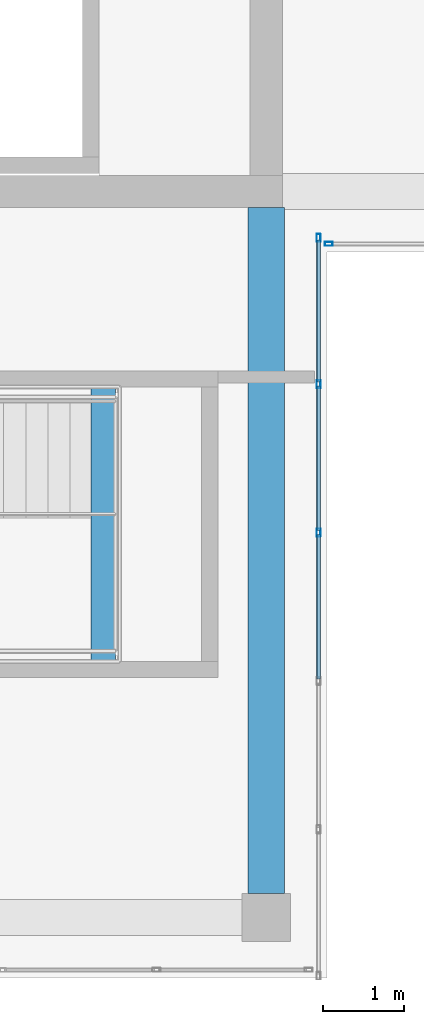
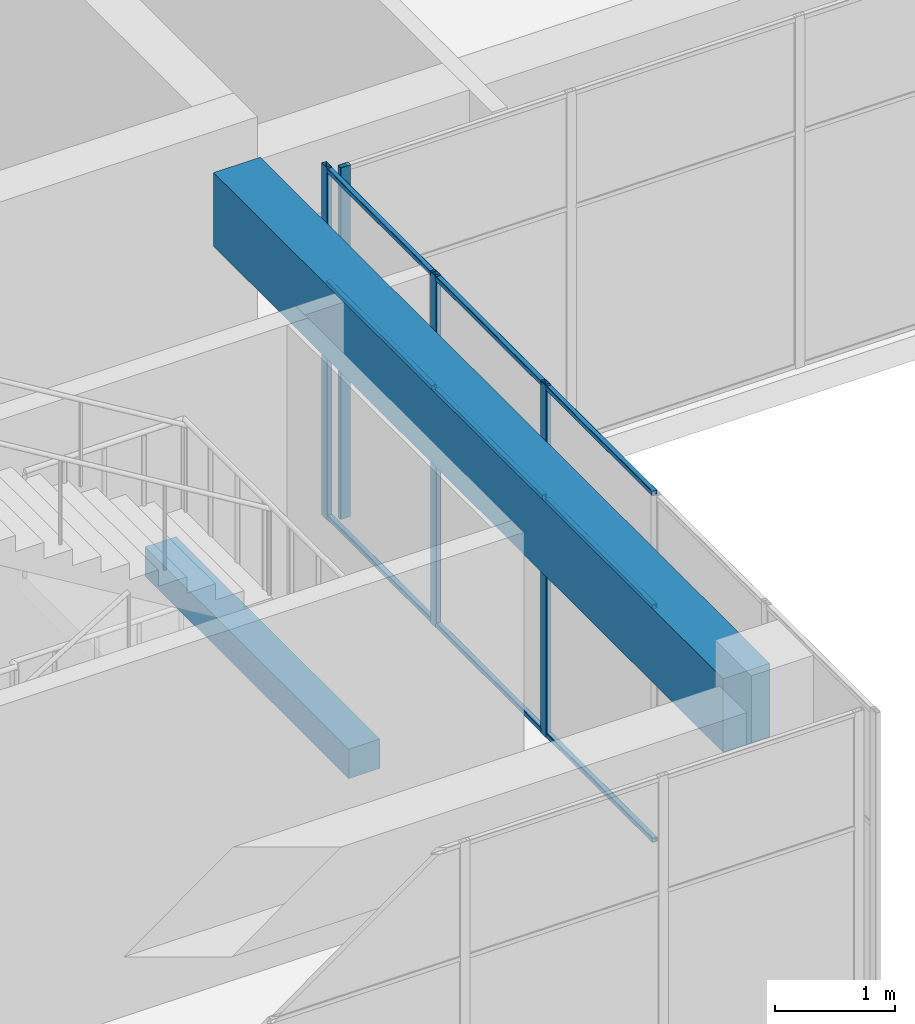
# One storey, part 9 of 35: 13 members, 2 beams, 2 elements without a shape of their own.
"""IFC4 building model written with IfcOpenShell, lengths in metres."""

from ifc_helpers import new_model, si_unit, direction, frame, origin, origin_2d, place, context, subcontext, project, spatial, rectangle, hollow_rectangle, extrude, material, layer, layer_set, material_profile, profile_set, type_object, element, aggregate, save


model = new_model("IFC4")

# Units and contexts
model_context = context("Model", 3, precision=1e-05, world=origin(), true_north=direction((0.0, 1.0)))
body_context = subcontext(model_context, "Body", "Model", "MODEL_VIEW")
ifc_project = project(units=[si_unit("LENGTHUNIT", "METRE"), si_unit("AREAUNIT", "SQUARE_METRE"), si_unit("VOLUMEUNIT", "CUBIC_METRE"), si_unit("PLANEANGLEUNIT", "RADIAN"), si_unit("MASSUNIT", "GRAM", prefix="KILO")], contexts=[model_context])

# Site, building, storey
site_placement = place(None, origin())
site = spatial("IfcSite", under=ifc_project, at=site_placement, CompositionType="ELEMENT")
building_placement = place(site_placement, origin())
building = spatial("IfcBuilding", under=site, at=building_placement, Name="Tuart Plaza Theatre", CompositionType="ELEMENT")
storey_placement = place(building_placement, frame((0.0, 0.0, 49.5)))
storey = spatial("IfcBuildingStorey", under=building, at=storey_placement, Name="L12", CompositionType="ELEMENT", Elevation=49.5)

# Beams
ifc_material_1 = material(Name="Concrete N40 (40 MPa)", Category="concrete")
ifc_material_profile_1 = material_profile(ifc_material_1, rectangle(XDim=0.300048828125, YDim=0.300048828125, at=origin_2d()), Name="BEAM 300x300 Concrete N40 (40 MPa)")
ifc_profile_set_1 = profile_set([ifc_material_profile_1], Name="Concrete N40 (40 MPa)")
beam_type_1 = type_object("IfcBeamType", Name="BEAM 300x300 Concrete N40 (40 MPa)", PredefinedType="BEAM", material=ifc_profile_set_1)
beam_1_placement = place(storey_placement, frame((138.97998046875, 59.175048828125, 1.64990234375), z_axis=(0.0, 1.0, 0.0), x_axis=(-1.0, 0.0, 0.0)))
element("IfcBeam", 1, at=beam_1_placement, inside=storey, type_object=beam_type_1, Name="RB508", PredefinedType="BEAM", context=body_context, shape_type="SweptSolid", body=[
    extrude(rectangle(XDim=0.300048828125, YDim=0.300048828125, at=origin_2d()), origin(), (0.0, 0.0, 1.0), 3.39990234375),
])
ifc_material_2 = material(Name="Concrete N40 (40 MPa)", Category="concrete")
ifc_material_profile_2 = material_profile(ifc_material_2, rectangle(XDim=0.449951171875, YDim=0.75, at=origin_2d()), Name="BEAM 450x750 Concrete N40 (40 MPa)")
ifc_profile_set_2 = profile_set([ifc_material_profile_2], Name="Concrete N40 (40 MPa)")
beam_type_2 = type_object("IfcBeamType", Name="BEAM 450x750 Concrete N40 (40 MPa)", PredefinedType="BEAM", material=ifc_profile_set_2)
beam_2_placement = place(storey_placement, frame((141.0, 56.300048828125, 3.205078125), z_axis=(0.0, 1.0, 0.0), x_axis=(-1.0, 0.0, 0.0)))
element("IfcBeam", 2, at=beam_2_placement, inside=storey, type_object=beam_type_2, Name="RB304", PredefinedType="BEAM", context=body_context, shape_type="SweptSolid", body=[
    extrude(rectangle(XDim=0.449951171875, YDim=0.75, at=origin_2d()), origin(), (0.0, 0.0, 1.0), 8.5),
])

# Curtain wall, members
ifc_material_3 = material(Name="Aluminium and glass", Category="aluminium")
ifc_layer = layer(ifc_material_3, 0.10009765625)
ifc_layer_set = layer_set([ifc_layer], Name="CURTAIN WALL 2000 module")
curtain_wall_type = type_object("IfcCurtainWallType", Name="CURTAIN WALL 2000 module", PredefinedType="NOTDEFINED", material=ifc_layer_set)
curtain_wall_1_placement = place(storey_placement, origin())
curtain_wall_1 = element("IfcCurtainWall", 3, at=curtain_wall_1_placement, inside=storey, type_object=curtain_wall_type, Name="CW100", PredefinedType="NOTDEFINED")
ifc_material_4 = material(Name="Aluminium 6063-T5", Category="aluminium")
ifc_material_profile_3 = material_profile(ifc_material_4, hollow_rectangle(XDim=0.050048828125, YDim=0.10009765625, WallThickness=0.00390625, InnerFilletRadius=0.00390625, OuterFilletRadius=0.008056640625, at=origin_2d()), Name="RHS 100x50x4")
ifc_profile_set_3 = profile_set([ifc_material_profile_3], Name="Aluminium 6063-T5")
member_type_1 = type_object("IfcMemberType", Name="MULLION RHS 100x50x4", PredefinedType="MULLION", material=ifc_profile_set_3)
member_1_placement = place(storey_placement, frame((141.64990234375, 60.77001953125, 0.0), z_axis=(0.0, 0.0, 1.0), x_axis=(-1.0, 0.0, 0.0)))
member_1 = element("IfcMember", 4, at=member_1_placement, type_object=member_type_1, Name="CW100 mullion 4", PredefinedType="MULLION", context=body_context, shape_type="SweptSolid", body=[
    extrude(hollow_rectangle(XDim=0.050048828125, YDim=0.10009765625, WallThickness=0.00390625, InnerFilletRadius=0.00390625, OuterFilletRadius=0.008056640625, at=origin_2d()), origin(), (0.0, 0.0, 1.0), 3.580078125),
])
member_2_placement = place(storey_placement, frame((141.64990234375, 62.610107421875, 0.0), z_axis=(0.0, 0.0, 1.0), x_axis=(-1.0, 0.0, 0.0)))
member_2 = element("IfcMember", 5, at=member_2_placement, type_object=member_type_1, Name="CW100 mullion 5", PredefinedType="MULLION", context=body_context, shape_type="SweptSolid", body=[
    extrude(hollow_rectangle(XDim=0.050048828125, YDim=0.10009765625, WallThickness=0.00390625, InnerFilletRadius=0.00390625, OuterFilletRadius=0.008056640625, at=origin_2d()), origin(), (0.0, 0.0, 1.0), 3.580078125),
])
member_3_placement = place(storey_placement, frame((141.64990234375, 64.425048828125, 0.0), z_axis=(0.0, 0.0, 1.0), x_axis=(-1.0, 0.0, 0.0)))
member_3 = element("IfcMember", 6, at=member_3_placement, type_object=member_type_1, Name="CW100 mullion 6", PredefinedType="MULLION", context=body_context, shape_type="SweptSolid", body=[
    extrude(hollow_rectangle(XDim=0.050048828125, YDim=0.10009765625, WallThickness=0.00390625, InnerFilletRadius=0.00390625, OuterFilletRadius=0.008056640625, at=origin_2d()), origin(), (0.0, 0.0, 1.0), 3.580078125),
])

# Curtain wall, member
curtain_wall_2_placement = place(storey_placement, origin())
curtain_wall_2 = element("IfcCurtainWall", 7, at=curtain_wall_2_placement, inside=storey, type_object=curtain_wall_type, Name="CW101", PredefinedType="NOTDEFINED")
member_4_placement = place(storey_placement, frame((141.77490234375, 64.35009765625, 0.0), z_axis=(0.0, 0.0, 1.0), x_axis=(0.0, 1.0, 0.0)))
member_4 = element("IfcMember", 8, at=member_4_placement, type_object=member_type_1, Name="CW101 mullion 1", PredefinedType="MULLION", context=body_context, shape_type="SweptSolid", body=[
    extrude(hollow_rectangle(XDim=0.050048828125, YDim=0.10009765625, WallThickness=0.00390625, InnerFilletRadius=0.00390625, OuterFilletRadius=0.008056640625, at=origin_2d()), origin(), (0.0, 0.0, 1.0), 3.580078125),
])
aggregate(curtain_wall_2, [member_4])

# Member
ifc_material_5 = material(Name="Aluminium 6063-T5", Category="aluminium")
ifc_material_profile_4 = material_profile(ifc_material_5, hollow_rectangle(XDim=0.050048828125, YDim=0.050048828125, WallThickness=0.00390625, InnerFilletRadius=0.00390625, OuterFilletRadius=0.008056640625, at=origin_2d()), Name="RHS 50x50x4")
ifc_profile_set_4 = profile_set([ifc_material_profile_4], Name="Aluminium 6063-T5")
member_type_2 = type_object("IfcMemberType", Name="TRANSOM RHS 50x50x4", PredefinedType="USERDEFINED", material=ifc_profile_set_4)
member_5_placement = place(storey_placement, frame((141.64990234375, 58.955078125, 0.02490234375), z_axis=(0.0, 1.0, 0.0), x_axis=(-1.0, 0.0, 0.0)))
member_5 = element("IfcMember", 9, at=member_5_placement, type_object=member_type_2, Name="CW100 transom 3.1", ObjectType="TRANSOM", PredefinedType="USERDEFINED", context=body_context, shape_type="SweptSolid", body=[
    extrude(hollow_rectangle(XDim=0.050048828125, YDim=0.050048828125, WallThickness=0.00390625, InnerFilletRadius=0.00390625, OuterFilletRadius=0.008056640625, at=origin_2d()), origin(), (0.0, 0.0, 1.0), 1.7900390625),
])

member_6_placement = place(storey_placement, frame((141.64990234375, 58.955078125, 2.39990234375), z_axis=(0.0, 1.0, 0.0), x_axis=(-1.0, 0.0, 0.0)))
member_6 = element("IfcMember", 10, at=member_6_placement, type_object=member_type_2, Name="CW100 transom 3.2", ObjectType="TRANSOM", PredefinedType="USERDEFINED", context=body_context, shape_type="SweptSolid", body=[
    extrude(hollow_rectangle(XDim=0.050048828125, YDim=0.050048828125, WallThickness=0.00390625, InnerFilletRadius=0.00390625, OuterFilletRadius=0.008056640625, at=origin_2d()), origin(), (0.0, 0.0, 1.0), 1.7900390625),
])

member_7_placement = place(storey_placement, frame((141.64990234375, 58.955078125, 3.554931640625), z_axis=(0.0, 1.0, 0.0), x_axis=(-1.0, 0.0, 0.0)))
member_7 = element("IfcMember", 11, at=member_7_placement, type_object=member_type_2, Name="CW100 transom 3.3", ObjectType="TRANSOM", PredefinedType="USERDEFINED", context=body_context, shape_type="SweptSolid", body=[
    extrude(hollow_rectangle(XDim=0.050048828125, YDim=0.050048828125, WallThickness=0.00390625, InnerFilletRadius=0.00390625, OuterFilletRadius=0.008056640625, at=origin_2d()), origin(), (0.0, 0.0, 1.0), 1.7900390625),
])

member_8_placement = place(storey_placement, frame((141.64990234375, 60.794921875, 0.02490234375), z_axis=(0.0, 1.0, 0.0), x_axis=(-1.0, 0.0, 0.0)))
member_8 = element("IfcMember", 12, at=member_8_placement, type_object=member_type_2, Name="CW100 transom 4.1", ObjectType="TRANSOM", PredefinedType="USERDEFINED", context=body_context, shape_type="SweptSolid", body=[
    extrude(hollow_rectangle(XDim=0.050048828125, YDim=0.050048828125, WallThickness=0.00390625, InnerFilletRadius=0.00390625, OuterFilletRadius=0.008056640625, at=origin_2d()), origin(), (0.0, 0.0, 1.0), 1.7900390625),
])

member_9_placement = place(storey_placement, frame((141.64990234375, 60.794921875, 2.39990234375), z_axis=(0.0, 1.0, 0.0), x_axis=(-1.0, 0.0, 0.0)))
member_9 = element("IfcMember", 13, at=member_9_placement, type_object=member_type_2, Name="CW100 transom 4.2", ObjectType="TRANSOM", PredefinedType="USERDEFINED", context=body_context, shape_type="SweptSolid", body=[
    extrude(hollow_rectangle(XDim=0.050048828125, YDim=0.050048828125, WallThickness=0.00390625, InnerFilletRadius=0.00390625, OuterFilletRadius=0.008056640625, at=origin_2d()), origin(), (0.0, 0.0, 1.0), 1.7900390625),
])

member_10_placement = place(storey_placement, frame((141.64990234375, 60.794921875, 3.554931640625), z_axis=(0.0, 1.0, 0.0), x_axis=(-1.0, 0.0, 0.0)))
member_10 = element("IfcMember", 14, at=member_10_placement, type_object=member_type_2, Name="CW100 transom 4.3", ObjectType="TRANSOM", PredefinedType="USERDEFINED", context=body_context, shape_type="SweptSolid", body=[
    extrude(hollow_rectangle(XDim=0.050048828125, YDim=0.050048828125, WallThickness=0.00390625, InnerFilletRadius=0.00390625, OuterFilletRadius=0.008056640625, at=origin_2d()), origin(), (0.0, 0.0, 1.0), 1.7900390625),
])

member_11_placement = place(storey_placement, frame((141.64990234375, 62.635009765625, 0.02490234375), z_axis=(0.0, 1.0, 0.0), x_axis=(-1.0, 0.0, 0.0)))
member_11 = element("IfcMember", 15, at=member_11_placement, type_object=member_type_2, Name="CW100 transom 5.1", ObjectType="TRANSOM", PredefinedType="USERDEFINED", context=body_context, shape_type="SweptSolid", body=[
    extrude(hollow_rectangle(XDim=0.050048828125, YDim=0.050048828125, WallThickness=0.00390625, InnerFilletRadius=0.00390625, OuterFilletRadius=0.008056640625, at=origin_2d()), origin(), (0.0, 0.0, 1.0), 1.764892578125),
])

member_12_placement = place(storey_placement, frame((141.64990234375, 62.635009765625, 2.39990234375), z_axis=(0.0, 1.0, 0.0), x_axis=(-1.0, 0.0, 0.0)))
member_12 = element("IfcMember", 16, at=member_12_placement, type_object=member_type_2, Name="CW100 transom 5.2", ObjectType="TRANSOM", PredefinedType="USERDEFINED", context=body_context, shape_type="SweptSolid", body=[
    extrude(hollow_rectangle(XDim=0.050048828125, YDim=0.050048828125, WallThickness=0.00390625, InnerFilletRadius=0.00390625, OuterFilletRadius=0.008056640625, at=origin_2d()), origin(), (0.0, 0.0, 1.0), 1.764892578125),
])

member_13_placement = place(storey_placement, frame((141.64990234375, 62.635009765625, 3.554931640625), z_axis=(0.0, 1.0, 0.0), x_axis=(-1.0, 0.0, 0.0)))
member_13 = element("IfcMember", 17, at=member_13_placement, type_object=member_type_2, Name="CW100 transom 5.3", ObjectType="TRANSOM", PredefinedType="USERDEFINED", context=body_context, shape_type="SweptSolid", body=[
    extrude(hollow_rectangle(XDim=0.050048828125, YDim=0.050048828125, WallThickness=0.00390625, InnerFilletRadius=0.00390625, OuterFilletRadius=0.008056640625, at=origin_2d()), origin(), (0.0, 0.0, 1.0), 1.764892578125),
])

aggregate(curtain_wall_1, [member_1, member_2, member_3, member_5, member_6, member_7, member_8, member_9, member_10, member_11, member_12, member_13])

save(model, "model.ifc")
